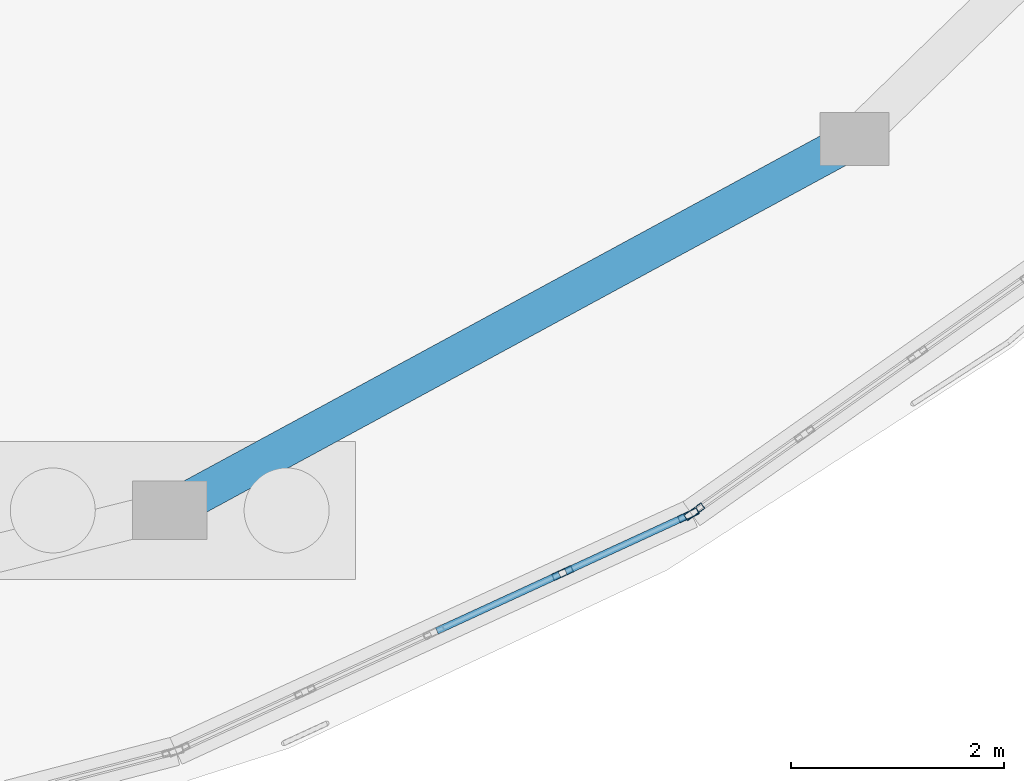
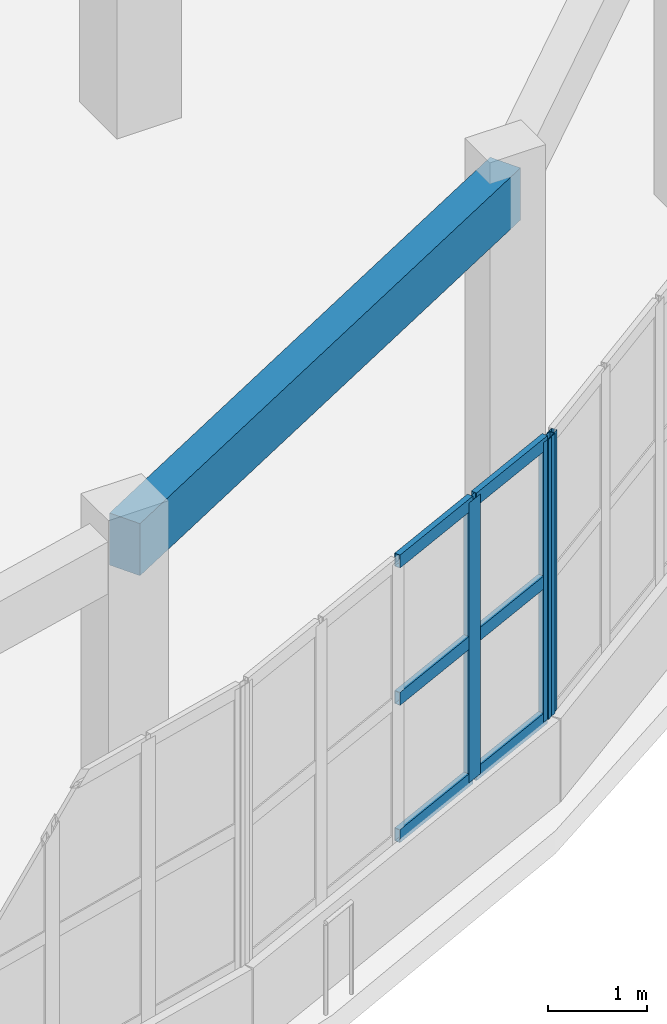
# One storey, part 33 of 96: 9 members, 1 beam, 2 elements without a shape of their own.
"""IFC4 building model written with IfcOpenShell, lengths in metres."""

from ifc_helpers import new_model, si_unit, direction, frame, origin, origin_2d, place, context, subcontext, project, spatial, rectangle, hollow_rectangle, extrude, material, layer, layer_set, material_profile, profile_set, type_object, element, aggregate, save


model = new_model("IFC4")

# Units and contexts
model_context = context("Model", 3, precision=1e-05, world=origin(), true_north=direction((0.0, 1.0)))
body_context = subcontext(model_context, "Body", "Model", "MODEL_VIEW")
ifc_project = project(units=[si_unit("LENGTHUNIT", "METRE"), si_unit("AREAUNIT", "SQUARE_METRE"), si_unit("VOLUMEUNIT", "CUBIC_METRE"), si_unit("PLANEANGLEUNIT", "RADIAN"), si_unit("MASSUNIT", "GRAM", prefix="KILO")], contexts=[model_context])

# Site, building, storey
site_placement = place(None, origin())
site = spatial("IfcSite", under=ifc_project, at=site_placement, CompositionType="ELEMENT")
building_placement = place(site_placement, origin())
building = spatial("IfcBuilding", under=site, at=building_placement, Name="Pelvatis Terrace Science Centre", CompositionType="ELEMENT")
storey_placement = place(building_placement, origin())
storey = spatial("IfcBuildingStorey", under=building, at=storey_placement, Name="L00", CompositionType="ELEMENT", Elevation=0.0)

# Curtain wall, members
ifc_material_1 = material(Name="Bronze-anodised aluminium and laminated glass", Category="aluminium")
ifc_layer = layer(ifc_material_1, 0.199951171875)
ifc_layer_set = layer_set([ifc_layer], Name="Bronze-anodised aluminium and laminated glass")
curtain_wall_type = type_object("IfcCurtainWallType", Name="CW-RIBBON-B", PredefinedType="NOTDEFINED", material=ifc_layer_set)
curtain_wall_1_placement = place(storey_placement, origin())
curtain_wall_1 = element("IfcCurtainWall", 1, at=curtain_wall_1_placement, inside=storey, type_object=curtain_wall_type, Name="Ribbon curtain wall CW-121 (L00)", PredefinedType="NOTDEFINED")
ifc_material_2 = material(Name="Bronze-anodised aluminium 6063-T6", Category="aluminium")
ifc_material_profile_1 = material_profile(ifc_material_2, hollow_rectangle(XDim=0.06494140625, YDim=0.199951171875, WallThickness=0.00439453125, at=origin_2d()), Name="ALU-MUL 65x200")
ifc_profile_set_1 = profile_set([ifc_material_profile_1], Name="Bronze-anodised aluminium 6063-T6")
member_type_1 = type_object("IfcMemberType", Name="CWM-65x200", PredefinedType="MULLION", material=ifc_profile_set_1)
member_1_placement = place(storey_placement, frame((125.971435546875, 61.56201171875, 1.02001953125), z_axis=(0.0, 0.0, 1.0), x_axis=(-0.41805650264, 0.908421026067, 0.0)))
member_1 = element("IfcMember", 2, at=member_1_placement, type_object=member_type_1, Name="CW-121 mullion 4", PredefinedType="MULLION", context=body_context, shape_type="SweptSolid", body=[
    extrude(hollow_rectangle(XDim=0.06494140625, YDim=0.199951171875, WallThickness=0.00439453125, at=origin_2d()), origin(), (0.0, 0.0, 1.0), 3.43994140625),
])
member_2_placement = place(storey_placement, frame((127.154296875, 62.1064453125, 1.02001953125), z_axis=(0.0, 0.0, 1.0), x_axis=(-0.41805650264, 0.908421026067, 0.0)))
member_2 = element("IfcMember", 3, at=member_2_placement, type_object=member_type_1, Name="CW-121 mullion 5", PredefinedType="MULLION", context=body_context, shape_type="SweptSolid", body=[
    extrude(hollow_rectangle(XDim=0.06494140625, YDim=0.199951171875, WallThickness=0.00439453125, at=origin_2d()), origin(), (0.0, 0.0, 1.0), 3.43994140625),
])

# Curtain wall, member
curtain_wall_2_placement = place(storey_placement, origin())
curtain_wall_2 = element("IfcCurtainWall", 4, at=curtain_wall_2_placement, inside=storey, type_object=curtain_wall_type, Name="Ribbon curtain wall CW-122 (L00)", PredefinedType="NOTDEFINED")
member_3_placement = place(storey_placement, frame((127.210205078125, 62.138671875, 1.02001953125), z_axis=(0.0, 0.0, 1.0), x_axis=(-0.577064835369, 0.816698338299, 0.0)))
member_3 = element("IfcMember", 5, at=member_3_placement, type_object=member_type_1, Name="CW-122 mullion 1", PredefinedType="MULLION", context=body_context, shape_type="SweptSolid", body=[
    extrude(hollow_rectangle(XDim=0.06494140625, YDim=0.199951171875, WallThickness=0.00439453125, at=origin_2d()), origin(), (0.0, 0.0, 1.0), 3.43994140625),
])
aggregate(curtain_wall_2, [member_3])

# Member
ifc_material_3 = material(Name="Bronze-anodised aluminium 6063-T6", Category="aluminium")
ifc_material_profile_2 = material_profile(ifc_material_3, hollow_rectangle(XDim=0.06494140625, YDim=0.159912109375, WallThickness=0.00390625, at=origin_2d()), Name="ALU-TRN 65x160")
ifc_profile_set_2 = profile_set([ifc_material_profile_2], Name="Bronze-anodised aluminium 6063-T6")
member_type_2 = type_object("IfcMemberType", Name="CWT-65x160", PredefinedType="USERDEFINED", material=ifc_profile_set_2)
member_4_placement = place(storey_placement, frame((124.78857421875, 61.017822265625, 1.052490234375), z_axis=(0.908420351401, 0.418057968659, 0.0), x_axis=(-0.418057968659, 0.908420351401, 0.0)))
member_4 = element("IfcMember", 6, at=member_4_placement, type_object=member_type_2, Name="CW-121 transom 3.1", ObjectType="TRANSOM", PredefinedType="USERDEFINED", context=body_context, shape_type="SweptSolid", body=[
    extrude(hollow_rectangle(XDim=0.06494140625, YDim=0.159912109375, WallThickness=0.00390625, at=origin_2d()), origin(), (0.0, 0.0, 1.0), 1.26953125),
])

member_5_placement = place(storey_placement, frame((124.78857421875, 61.017822265625, 2.739990234375), z_axis=(0.908420351401, 0.418057968659, 0.0), x_axis=(-0.418057968659, 0.908420351401, 0.0)))
member_5 = element("IfcMember", 7, at=member_5_placement, type_object=member_type_2, Name="CW-121 transom 3.2", ObjectType="TRANSOM", PredefinedType="USERDEFINED", context=body_context, shape_type="SweptSolid", body=[
    extrude(hollow_rectangle(XDim=0.06494140625, YDim=0.159912109375, WallThickness=0.00390625, at=origin_2d()), origin(), (0.0, 0.0, 1.0), 1.26953125),
])

member_6_placement = place(storey_placement, frame((124.78857421875, 61.017822265625, 4.427490234375), z_axis=(0.908420351401, 0.418057968659, 0.0), x_axis=(-0.418057968659, 0.908420351401, 0.0)))
member_6 = element("IfcMember", 8, at=member_6_placement, type_object=member_type_2, Name="CW-121 transom 3.3", ObjectType="TRANSOM", PredefinedType="USERDEFINED", context=body_context, shape_type="SweptSolid", body=[
    extrude(hollow_rectangle(XDim=0.06494140625, YDim=0.159912109375, WallThickness=0.00390625, at=origin_2d()), origin(), (0.0, 0.0, 1.0), 1.26953125),
])

member_7_placement = place(storey_placement, frame((126.0009765625, 61.57568359375, 1.052490234375), z_axis=(0.908443990463, 0.418006598262, 0.0), x_axis=(-0.418006598262, 0.908443990463, 0.0)))
member_7 = element("IfcMember", 9, at=member_7_placement, type_object=member_type_2, Name="CW-121 transom 4.1", ObjectType="TRANSOM", PredefinedType="USERDEFINED", context=body_context, shape_type="SweptSolid", body=[
    extrude(hollow_rectangle(XDim=0.06494140625, YDim=0.159912109375, WallThickness=0.00390625, at=origin_2d()), origin(), (0.0, 0.0, 1.0), 1.237060546875),
])

member_8_placement = place(storey_placement, frame((126.0009765625, 61.57568359375, 2.739990234375), z_axis=(0.908443990463, 0.418006598262, 0.0), x_axis=(-0.418006598262, 0.908443990463, 0.0)))
member_8 = element("IfcMember", 10, at=member_8_placement, type_object=member_type_2, Name="CW-121 transom 4.2", ObjectType="TRANSOM", PredefinedType="USERDEFINED", context=body_context, shape_type="SweptSolid", body=[
    extrude(hollow_rectangle(XDim=0.06494140625, YDim=0.159912109375, WallThickness=0.00390625, at=origin_2d()), origin(), (0.0, 0.0, 1.0), 1.237060546875),
])

member_9_placement = place(storey_placement, frame((126.0009765625, 61.57568359375, 4.427490234375), z_axis=(0.908443990463, 0.418006598262, 0.0), x_axis=(-0.418006598262, 0.908443990463, 0.0)))
member_9 = element("IfcMember", 11, at=member_9_placement, type_object=member_type_2, Name="CW-121 transom 4.3", ObjectType="TRANSOM", PredefinedType="USERDEFINED", context=body_context, shape_type="SweptSolid", body=[
    extrude(hollow_rectangle(XDim=0.06494140625, YDim=0.159912109375, WallThickness=0.00390625, at=origin_2d()), origin(), (0.0, 0.0, 1.0), 1.237060546875),
])

aggregate(curtain_wall_1, [member_1, member_2, member_4, member_5, member_6, member_7, member_8, member_9])

# Beam
ifc_material_4 = material(Name="Concrete C35/45", Category="concrete")
ifc_material_profile_3 = material_profile(ifc_material_4, rectangle(XDim=0.360107421875, YDim=0.639892578125, at=origin_2d()), Name="RC-SPN 360x640")
ifc_profile_set_3 = profile_set([ifc_material_profile_3], Name="Concrete C35/45")
beam_type = type_object("IfcBeamType", Name="SPN-RC-360x640", PredefinedType="SPANDREL", material=ifc_profile_set_3)
beam_placement = place(storey_placement, frame((122.274658203125, 62.1513671875, 4.820068359375), z_axis=(0.879051735315, 0.476726385509, 0.0), x_axis=(-0.476726385509, 0.879051735315, 0.0)))
element("IfcBeam", 12, at=beam_placement, inside=storey, type_object=beam_type, Name="Spandrel SP-L00-2298", PredefinedType="SPANDREL", context=body_context, shape_type="SweptSolid", body=[
    extrude(rectangle(XDim=0.360107421875, YDim=0.639892578125, at=origin_2d()), origin(), (0.0, 0.0, 1.0), 7.327392578125),
])

save(model, "model.ifc")
